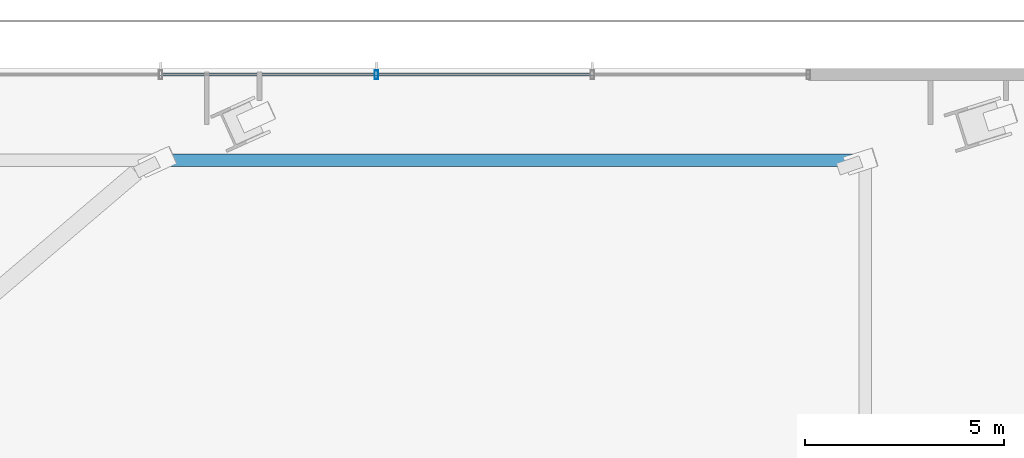
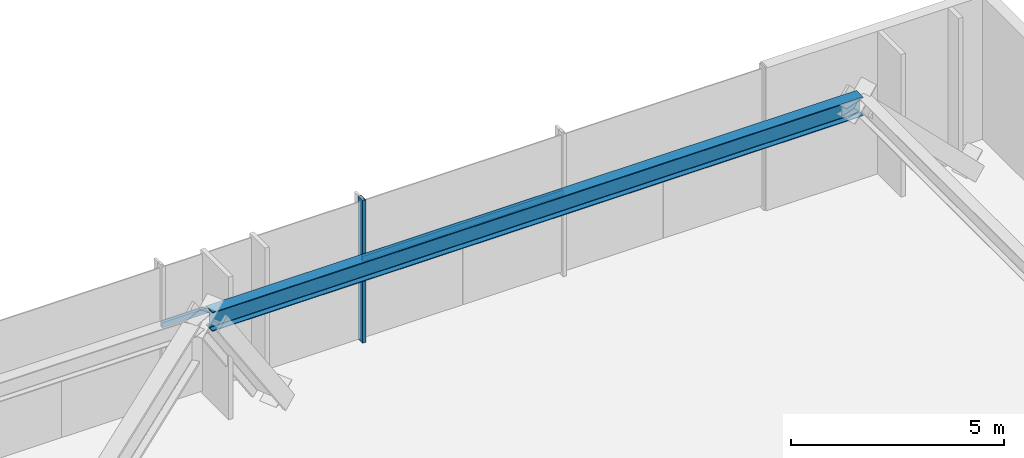
# One storey, part 20 of 36: 3 members, 1 beam, 1 element without a shape of its own.
"""IFC4 building model written with IfcOpenShell, lengths in metres."""

from ifc_helpers import new_model, si_unit, direction, frame, origin, origin_2d, place, context, subcontext, project, spatial, hollow_rectangle, i_section, extrude, source, transform, mapped, material, material_profile, profile_set, type_object, type_shapes, element, aggregate, save


model = new_model("IFC4")

# Units and contexts
model_context = context("Model", 3, precision=1e-05, world=origin(), true_north=direction((0.0, 1.0)))
body_context = subcontext(model_context, "Body", "Model", "MODEL_VIEW")
ifc_project = project(units=[si_unit("LENGTHUNIT", "METRE"), si_unit("AREAUNIT", "SQUARE_METRE"), si_unit("VOLUMEUNIT", "CUBIC_METRE"), si_unit("PLANEANGLEUNIT", "RADIAN"), si_unit("MASSUNIT", "GRAM", prefix="KILO")], contexts=[model_context])

# Site, building, storey
site_placement = place(None, origin())
site = spatial("IfcSite", under=ifc_project, at=site_placement, CompositionType="ELEMENT")
building_placement = place(site_placement, origin())
building = spatial("IfcBuilding", under=site, at=building_placement, Name="Astriad Promenade Condominiums", CompositionType="ELEMENT")
storey_placement = place(building_placement, frame((0.0, 0.0, 5.0)))
storey = spatial("IfcBuildingStorey", under=building, at=storey_placement, Name="L01", CompositionType="ELEMENT", Elevation=5.0)

# Beam
ifc_material_1 = material(Name="Steel ASTM A992 Grade 50", Category="steel")
ifc_material_profile_1 = material_profile(ifc_material_1, i_section(OverallWidth=0.3134765625, OverallDepth=0.54638671875, WebThickness=0.013916015625, FlangeThickness=0.022216796875, FilletRadius=0.0166015625, at=origin_2d()), Name="W21X111")
ifc_profile_set_1 = profile_set([ifc_material_profile_1], Name="Steel ASTM A992 Grade 50")
beam_type = type_object("IfcBeamType", Name="STEEL SPANDREL BEAM W21X111", PredefinedType="SPANDREL", material=ifc_profile_set_1)
shared_shape_1 = source(origin(), body_context, "Body", "SweptSolid", [
    extrude(i_section(OverallWidth=0.3134765625, OverallDepth=0.54638671875, WebThickness=0.013916015625, FlangeThickness=0.022216796875, FilletRadius=0.0166015625, at=origin_2d()), origin(), (0.0, 0.0, 1.0), 17.607177734375),
])
type_shapes(beam_type, [shared_shape_1])
beam_placement = place(storey_placement, frame((74.4345703125, 33.30029296875, 3.806884765625), z_axis=(-1.0, 0.0, 0.0), x_axis=(0.0, -1.0, 0.0)))
element("IfcBeam", 1, at=beam_placement, inside=storey, type_object=beam_type, Name="Perimeter Spandrel Beam SP-N4-L01", PredefinedType="SPANDREL", context=body_context, shape_type="MappedRepresentation", body=[
    mapped(shared_shape_1, transform((0.0, 0.0, 0.0), scale=1.0)),
])

# Curtain wall, members
ifc_material_2 = material(Name="Anodised aluminium Black Dark Glass Unitised", Category="aluminium")
curtain_wall_type = type_object("IfcCurtainWallType", Name="CW-POD-DARK", PredefinedType="USERDEFINED", material=ifc_material_2)
curtain_wall_placement = place(storey_placement, origin())
curtain_wall = element("IfcCurtainWall", 2, at=curtain_wall_placement, inside=storey, type_object=curtain_wall_type, Name="CW-L01-N", ObjectType="UNITISED_CURTAIN_WALL", PredefinedType="USERDEFINED")
ifc_material_3 = material(Name="Anodised aluminium 6063-T6 Black", Category="aluminium")
ifc_material_profile_2 = material_profile(ifc_material_3, hollow_rectangle(XDim=0.0849609375, YDim=0.219970703125, WallThickness=0.0048828125, at=origin_2d()), Name="ALU-MUL-85X220")
ifc_profile_set_2 = profile_set([ifc_material_profile_2], Name="Anodised aluminium 6063-T6 Black")
member_type_1 = type_object("IfcMemberType", Name="MUL-ALU-MUL-85X220", PredefinedType="MULLION", material=ifc_profile_set_2)
shared_shape_2 = source(origin(), body_context, "Body", "SweptSolid", [
    extrude(hollow_rectangle(XDim=0.0849609375, YDim=0.219970703125, WallThickness=0.0048828125, at=origin_2d()), origin(), (0.0, 0.0, 1.0), 4.080078125),
])
type_shapes(member_type_1, [shared_shape_2])
member_1_placement = place(storey_placement, frame((62.199951171875, 35.449951171875, 0.0), z_axis=(0.0, 0.0, 1.0), x_axis=(1.0, 0.0, 0.0)))
member_1 = element("IfcMember", 3, at=member_1_placement, type_object=member_type_1, Name="CW-L01-N-MUL-10", PredefinedType="MULLION", context=body_context, shape_type="MappedRepresentation", body=[
    mapped(shared_shape_2, transform((0.0, 0.0, 0.0), scale=1.0)),
])
ifc_material_profile_3 = material_profile(ifc_material_3, hollow_rectangle(XDim=0.074951171875, YDim=0.14990234375, WallThickness=0.004150390625, at=origin_2d()), Name="ALU-TRN-75X150")
ifc_profile_set_3 = profile_set([ifc_material_profile_3], Name="Anodised aluminium 6063-T6 Black")
member_type_2 = type_object("IfcMemberType", Name="TRN-ALU-TRN-75X150", PredefinedType="USERDEFINED", material=ifc_profile_set_3)
shared_shape_3 = source(origin(), body_context, "Body", "SweptSolid", [
    extrude(hollow_rectangle(XDim=0.074951171875, YDim=0.14990234375, WallThickness=0.004150390625, at=origin_2d()), origin(), (0.0, 0.0, 1.0), 5.425048828125),
])
type_shapes(member_type_2, [shared_shape_3])
member_2_placement = place(storey_placement, frame((56.77490234375, 35.449951171875, 2.35009765625), z_axis=(1.0, 0.0, 0.0), x_axis=(0.0, 1.0, 0.0)))
member_2 = element("IfcMember", 4, at=member_2_placement, type_object=member_type_2, Name="CW-L01-N-TRN-09-0", ObjectType="TRANSOM", PredefinedType="USERDEFINED", context=body_context, shape_type="MappedRepresentation", body=[
    mapped(shared_shape_3, transform((0.0, 0.0, 0.0), scale=1.0)),
])
member_3_placement = place(storey_placement, frame((62.199951171875, 35.449951171875, 2.35009765625), z_axis=(1.0, 0.0, 0.0), x_axis=(0.0, 1.0, 0.0)))
member_3 = element("IfcMember", 5, at=member_3_placement, type_object=member_type_2, Name="CW-L01-N-TRN-10-0", ObjectType="TRANSOM", PredefinedType="USERDEFINED", context=body_context, shape_type="MappedRepresentation", body=[
    mapped(shared_shape_3, transform((0.0, 0.0, 0.0), scale=1.0)),
])
aggregate(curtain_wall, [member_1, member_2, member_3])

save(model, "model.ifc")
